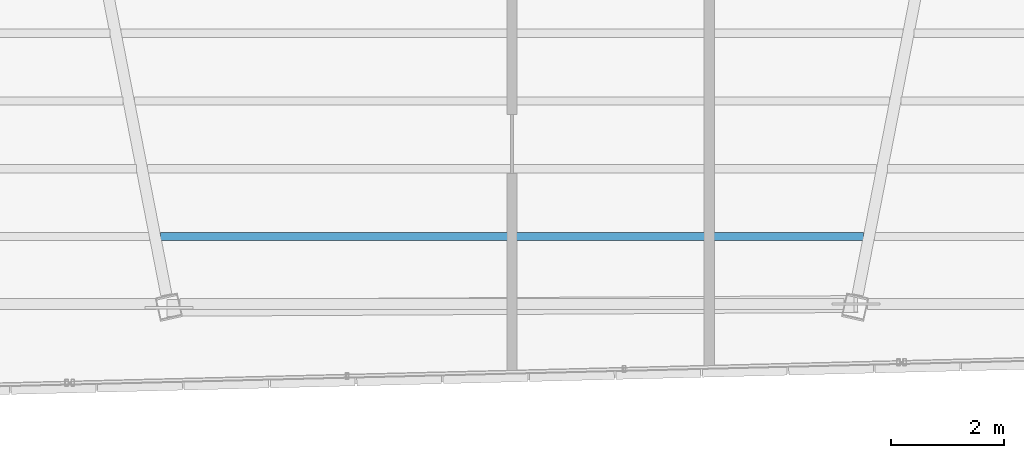
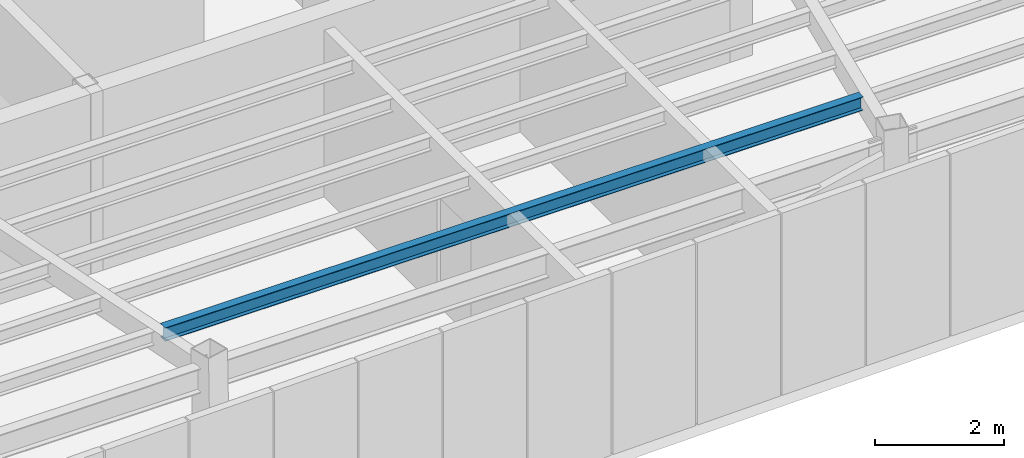
# One storey, part 14 of 44: 1 beam.
"""IFC4 building model written with IfcOpenShell, lengths in metres."""

import ifcopenshell
import ifcopenshell.guid

model = None  # the IFC model being written
_history = None  # IfcOwnerHistory: only IFC2X3 demands one
_inside = {}  # id of a spatial element -> (the spatial element, [elements in it])
_under = {}  # id of a project, library or spatial element -> (it, [spatial elements below it])
_declared = {}  # id of a project -> (the project, [libraries it declares])
_typed = {}  # id of a type object -> (the type object, [elements of that type])
_made_of = {}  # id of a material, layer set ... -> (it, [elements and type objects made of it])


def new_model(schema):
    """Start an empty IFC model of exactly this schema.

    Asked for "IFC4X3", IfcOpenShell would pick the latest addendum, in which some entities
    have other attributes; the version numbers below select the first issue.
    IFC2X3 requires an IfcOwnerHistory on every rooted entity: one is made here for all.
    """
    global model, _history
    if schema == "IFC4X3":
        model = ifcopenshell.file(schema_version=(4, 3, 0, 0))
    else:
        model = ifcopenshell.file(schema=schema)
    _inside.clear()
    _under.clear()
    _declared.clear()
    _typed.clear()
    _made_of.clear()
    _history = None
    if model.schema == "IFC2X3":
        org = make("IfcOrganization", Name="unknown")
        user = make(
            "IfcPersonAndOrganization",
            ThePerson=make("IfcPerson", FamilyName="unknown"),
            TheOrganization=org,
        )
        app = make(
            "IfcApplication",
            ApplicationDeveloper=org,
            Version="unknown",
            ApplicationFullName="unknown",
            ApplicationIdentifier="unknown",
        )
        _history = make(
            "IfcOwnerHistory",
            OwningUser=user,
            OwningApplication=app,
            ChangeAction="ADDED",
            CreationDate=0,
        )
    return model


def make(cls, **values):
    """One entity of the class cls with the attributes given. An attribute that is None is left unset."""
    return model.create_entity(
        cls, **{name: value for name, value in values.items() if value is not None}
    )


def rooted(cls, **values):
    """An entity with a GlobalId (a new one), such as an element, a storey or a relation."""
    return make(cls, GlobalId=ifcopenshell.guid.new(), OwnerHistory=_history, **values)


def si_unit(unit_type, name, prefix=None):
    """IfcSIUnit, for example si_unit("LENGTHUNIT", "METRE", prefix="MILLI")."""
    return make("IfcSIUnit", UnitType=unit_type, Prefix=prefix, Name=name)


def assignment(units):
    """IfcUnitAssignment: the units of a project."""
    return None if units is None else make("IfcUnitAssignment", Units=units)


def point(xyz):
    """IfcCartesianPoint."""
    return None if xyz is None else make("IfcCartesianPoint", Coordinates=xyz)


def direction(xyz):
    """IfcDirection."""
    return None if xyz is None else make("IfcDirection", DirectionRatios=xyz)


def frame(location, z_axis=None, x_axis=None):
    """IfcAxis2Placement3D, a coordinate frame: its origin and axes. An axis left out is left unset."""
    return make(
        "IfcAxis2Placement3D",
        Location=point(location),
        Axis=direction(z_axis),
        RefDirection=direction(x_axis),
    )


def frame_2d(location, x_axis=None):
    """IfcAxis2Placement2D, a coordinate frame in the plane: its origin and x axis."""
    return make(
        "IfcAxis2Placement2D", Location=point(location), RefDirection=direction(x_axis)
    )


def origin():
    """The frame at (0, 0, 0) with its axes left unset."""
    return frame((0.0, 0.0, 0.0))


def origin_2d():
    """The frame at (0, 0) in the plane with its x axis left unset."""
    return frame_2d((0.0, 0.0))


def place(relative_to, where):
    """IfcLocalPlacement: puts the frame where relative to a parent placement (None: the world)."""
    return make(
        "IfcLocalPlacement", PlacementRelTo=relative_to, RelativePlacement=where
    )


def context(
    kind, dimensions, precision=None, world=None, true_north=None, identifier=None
):
    """IfcGeometricRepresentationContext, for example the 3D "Model" context."""
    return make(
        "IfcGeometricRepresentationContext",
        ContextIdentifier=identifier,
        ContextType=kind,
        CoordinateSpaceDimension=dimensions,
        Precision=precision,
        WorldCoordinateSystem=world,
        TrueNorth=true_north,
    )


def subcontext(parent, identifier, kind, view, scale=None):
    """IfcGeometricRepresentationSubContext, for example "Body" below "Model"."""
    return make(
        "IfcGeometricRepresentationSubContext",
        ContextIdentifier=identifier,
        ContextType=kind,
        ParentContext=parent,
        TargetScale=scale,
        TargetView=view,
    )


def project(units=None, contexts=None):
    """IfcProject with its units and contexts."""
    return rooted(
        "IfcProject",
        Name="project",
        RepresentationContexts=contexts,
        UnitsInContext=assignment(units),
    )


def spatial(cls, under=None, at=None, **own):
    """A site, building, storey or space (cls), placed at a placement, below another one or the project."""
    s = rooted(cls, ObjectPlacement=at, **own)
    if under is not None:
        _under.setdefault(under.id(), (under, []))[1].append(s)
    return s


def profile(cls, at=None, kind="AREA", **sizes):
    """A parametric profile (cls). Its sizes go by their IFC names, for example OverallWidth=200.0."""
    return make(cls, ProfileType=kind, Position=at, **sizes)


def i_section(**sizes):
    """IfcIShapeProfileDef."""
    return profile("IfcIShapeProfileDef", **sizes)


def extrude(swept, where, along, depth):
    """IfcExtrudedAreaSolid: the profile swept, set in the frame where, extruded along a direction by depth."""
    return make(
        "IfcExtrudedAreaSolid",
        SweptArea=swept,
        Position=where,
        ExtrudedDirection=direction(along),
        Depth=depth,
    )


def shape(context_of_items, identifier, shape_type, items):
    """IfcShapeRepresentation: the items that make up one representation, for example the "Body"."""
    return make(
        "IfcShapeRepresentation",
        ContextOfItems=context_of_items,
        RepresentationIdentifier=identifier,
        RepresentationType=shape_type,
        Items=items,
    )


def source(mapping_origin, context_of_items, identifier, shape_type, items):
    """IfcRepresentationMap: a shape defined once, which mapped items show again and again."""
    return make(
        "IfcRepresentationMap",
        MappingOrigin=mapping_origin,
        MappedRepresentation=shape(context_of_items, identifier, shape_type, items),
    )


def transform(
    local_origin,
    x_axis=None,
    y_axis=None,
    z_axis=None,
    scale=None,
    scale2=None,
    scale3=None,
    uniform=True,
):
    """IfcCartesianTransformationOperator3D, or its non-uniform kind. x_axis, y_axis, z_axis: its Axis1, 2, 3."""
    if uniform:
        return make(
            "IfcCartesianTransformationOperator3D",
            Axis1=direction(x_axis),
            Axis2=direction(y_axis),
            LocalOrigin=point(local_origin),
            Scale=scale,
            Axis3=direction(z_axis),
        )
    return make(
        "IfcCartesianTransformationOperator3DnonUniform",
        Axis1=direction(x_axis),
        Axis2=direction(y_axis),
        LocalOrigin=point(local_origin),
        Scale=scale,
        Axis3=direction(z_axis),
        Scale2=scale2,
        Scale3=scale3,
    )


def mapped(mapping_source, mapping_target):
    """IfcMappedItem: shows the shape of a source again, moved by a transform."""
    return make(
        "IfcMappedItem", MappingSource=mapping_source, MappingTarget=mapping_target
    )


def material(Name=None, Category=None):
    """IfcMaterial."""
    return make("IfcMaterial", Name=Name, Category=Category)


def material_profile(
    of_material, cross_section, Name=None, Category=None, Priority=None
):
    """IfcMaterialProfile: a cross section and its material."""
    return make(
        "IfcMaterialProfile",
        Name=Name,
        Material=of_material,
        Profile=cross_section,
        Priority=Priority,
        Category=Category,
    )


def profile_set(profiles, Name=None, composite=None):
    """IfcMaterialProfileSet."""
    return make(
        "IfcMaterialProfileSet",
        Name=Name,
        MaterialProfiles=profiles,
        CompositeProfile=composite,
    )


def made_of(thing, what):
    """Note that an element or type object is made of a material, layer set ...; save() writes the relation."""
    if what is not None:
        _made_of.setdefault(what.id(), (what, []))[1].append(thing)
    return thing


def type_object(cls, material=None, **own):
    """A type object (cls), such as IfcWallType, which elements share."""
    return made_of(rooted(cls, **own), material)


def type_shapes(of_type, sources):
    """Give a type object the sources (RepresentationMaps) that its elements show as mapped items."""
    of_type.RepresentationMaps = sources


def element(
    cls,
    number,
    at=None,
    inside=None,
    cuts=None,
    type_object=None,
    material=None,
    context=None,
    identifier="Body",
    shape_type=None,
    held_by="IfcProductDefinitionShape",
    body=None,
    shapes=None,
    **own,
):
    """One element of the class cls, such as IfcWall. Its Tag is "e" and its number.

    at: its placement. inside: the storey or other place that contains it. cuts: it is an
    opening in that element (IfcRelVoidsElement). A single representation is given by context,
    identifier, shape_type and body (its items); several are given by shapes. held_by: the class
    of the entity that holds the representations. save() writes the other relations.
    """
    e = rooted(cls, Tag="e%d" % number, ObjectPlacement=at, **own)
    if body is not None:
        shapes = [shape(context, identifier, shape_type, body)]
    if shapes is not None:
        e.Representation = make(held_by, Representations=shapes)
    if inside is not None:
        _inside.setdefault(inside.id(), (inside, []))[1].append(e)
    if cuts is not None:
        rooted(
            "IfcRelVoidsElement", RelatingBuildingElement=cuts, RelatedOpeningElement=e
        )
    if type_object is not None:
        _typed.setdefault(type_object.id(), (type_object, []))[1].append(e)
    return made_of(e, material)


def aggregate(whole, parts):
    """IfcRelAggregates: a whole, such as a stair, and the parts it consists of."""
    return rooted("IfcRelAggregates", RelatingObject=whole, RelatedObjects=parts)


def save(model, path):
    """Write the relations noted so far, then the file.

    IfcRelAggregates (storeys below a building ...), IfcRelContainedInSpatialStructure (elements
    in a storey), IfcRelDefinesByType, IfcRelAssociatesMaterial and IfcRelDeclares: one each for
    every whole, place, type object, material and project.
    """
    for whole, parts in _under.values():
        aggregate(whole, parts)
    for where, things in _inside.values():
        rooted(
            "IfcRelContainedInSpatialStructure",
            RelatedElements=things,
            RelatingStructure=where,
        )
    for kind, things in _typed.values():
        rooted("IfcRelDefinesByType", RelatedObjects=things, RelatingType=kind)
    for what, things in _made_of.values():
        rooted("IfcRelAssociatesMaterial", RelatedObjects=things, RelatingMaterial=what)
    for by, libraries in _declared.values():
        rooted("IfcRelDeclares", RelatingContext=by, RelatedDefinitions=libraries)
    model.write(path)


model = new_model("IFC4")

# Units and contexts
model_context = context("Model", 3, precision=1e-05, world=origin(), true_north=direction((0.0, 1.0)))
body_context = subcontext(model_context, "Body", "Model", "MODEL_VIEW")
ifc_project = project(units=[si_unit("LENGTHUNIT", "METRE"), si_unit("AREAUNIT", "SQUARE_METRE"), si_unit("VOLUMEUNIT", "CUBIC_METRE"), si_unit("PLANEANGLEUNIT", "RADIAN"), si_unit("MASSUNIT", "GRAM", prefix="KILO")], contexts=[model_context])

# Site, building, storey
site_placement = place(None, origin())
site = spatial("IfcSite", under=ifc_project, at=site_placement, CompositionType="ELEMENT")
building_placement = place(site_placement, origin())
building = spatial("IfcBuilding", under=site, at=building_placement, Name="Caelisora Broadcast Tower", CompositionType="ELEMENT")
storey_placement = place(building_placement, frame((0.0, 0.0, 296.60009765625)))
storey = spatial("IfcBuildingStorey", under=building, at=storey_placement, Name="L78", CompositionType="ELEMENT", Elevation=296.60009765625)

# Beam
ifc_material = material(Name="Steel Grade 350 (AS/NZS 3679.1)", Category="steel")
ifc_material_profile = material_profile(ifc_material, i_section(OverallWidth=0.14599609375, OverallDepth=0.256103515625, WebThickness=0.00634765625, FlangeThickness=0.010986328125, at=origin_2d()), Name="Steel Grade 350 (AS/NZS 3679.1)")
ifc_profile_set = profile_set([ifc_material_profile], Name="Steel Grade 350 (AS/NZS 3679.1)")
beam_type = type_object("IfcBeamType", Name="SB04", PredefinedType="JOIST", material=ifc_profile_set)
shared_shape = source(origin(), body_context, "Body", "SweptSolid", [
    extrude(i_section(OverallWidth=0.14599609375, OverallDepth=0.256103515625, WebThickness=0.00634765625, FlangeThickness=0.010986328125, at=origin_2d()), origin(), (0.0, 0.0, 1.0), 12.4697265625),
])
type_shapes(beam_type, [shared_shape])
beam_placement = place(storey_placement, frame((31.76513671875, 11.396240234375, 3.021728515625), z_axis=(1.0, 0.0, 0.0), x_axis=(0.0, 1.0, 0.0)))
element("IfcBeam", 1, at=beam_placement, inside=storey, type_object=beam_type, Name="L78 beam SB04", PredefinedType="JOIST", context=body_context, shape_type="MappedRepresentation", body=[
    mapped(shared_shape, transform((0.0, 0.0, 0.0), scale=1.0)),
])

save(model, "model.ifc")
